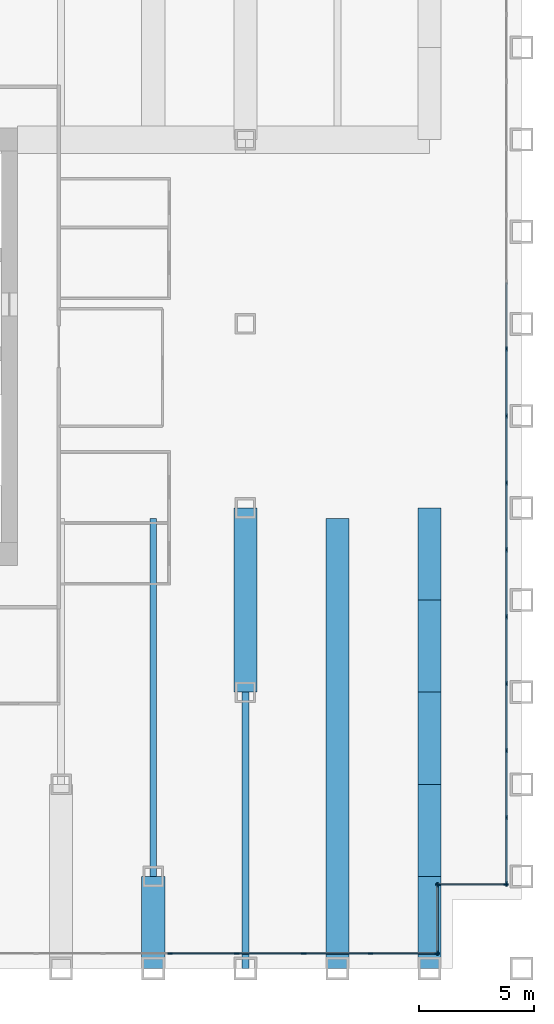
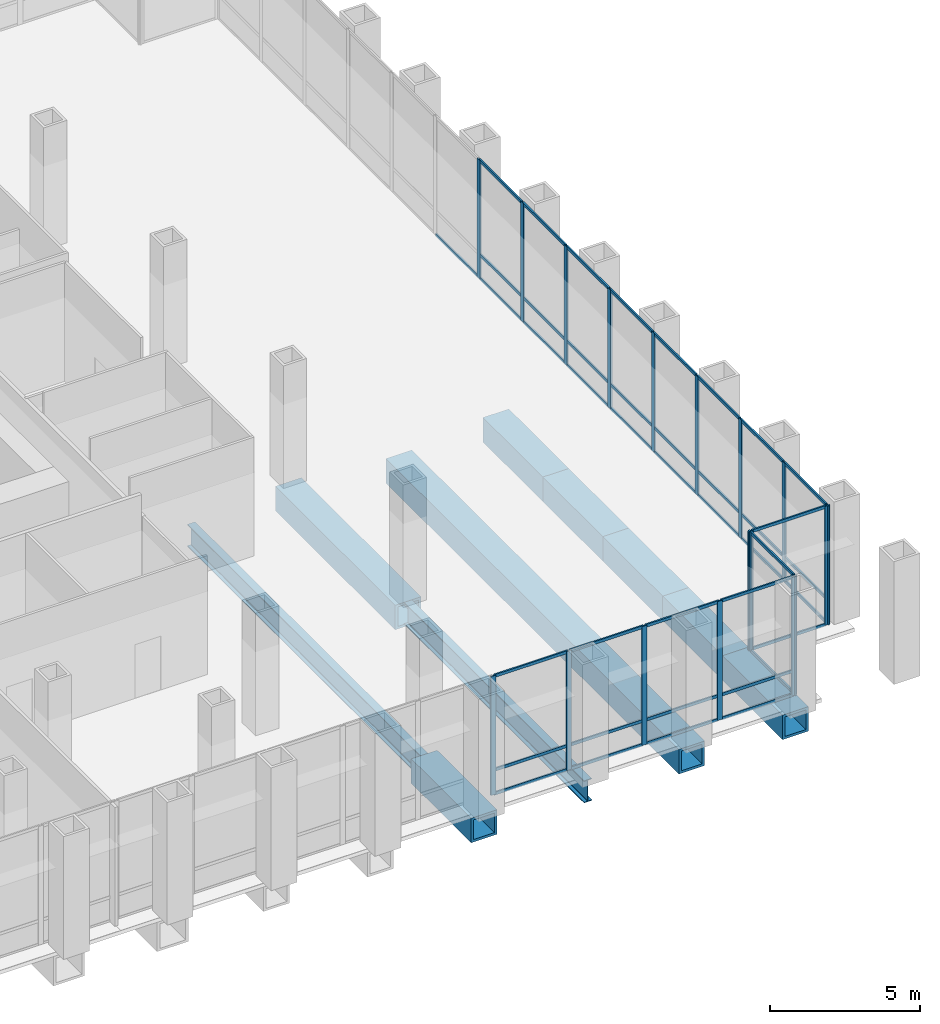
# One storey, part 5 of 16: 59 members, 10 beams, 4 elements without a shape of their own.
"""IFC4 building model written with IfcOpenShell, lengths in metres."""

from ifc_helpers import new_model, si_unit, direction, frame, origin, origin_2d, place, context, subcontext, project, spatial, rectangle, hollow_rectangle, i_section, extrude, material, material_profile, profile_set, type_object, element, aggregate, save


model = new_model("IFC4")

# Units and contexts
model_context = context("Model", 3, precision=1e-05, world=origin(), true_north=direction((0.0, 1.0)))
body_context = subcontext(model_context, "Body", "Model", "MODEL_VIEW")
ifc_project = project(units=[si_unit("LENGTHUNIT", "METRE"), si_unit("AREAUNIT", "SQUARE_METRE"), si_unit("VOLUMEUNIT", "CUBIC_METRE"), si_unit("PLANEANGLEUNIT", "RADIAN"), si_unit("MASSUNIT", "GRAM", prefix="KILO")], contexts=[model_context])

# Site, building, storey
site_placement = place(None, origin())
site = spatial("IfcSite", under=ifc_project, at=site_placement, CompositionType="ELEMENT")
building_placement = place(site_placement, origin())
building = spatial("IfcBuilding", under=site, at=building_placement, Name="Rimbunsela Tower", CompositionType="ELEMENT")
storey_placement = place(building_placement, frame((0.0, 0.0, 76.39990234375)))
storey = spatial("IfcBuildingStorey", under=building, at=storey_placement, Name="L18", CompositionType="ELEMENT", Elevation=76.39990234375)

# Beams
ifc_material_1 = material(Name="Steel BJ 55 (fy 410 MPa)", Category="steel")
ifc_material_profile_1 = material_profile(ifc_material_1, hollow_rectangle(XDim=1.0, YDim=1.0, WallThickness=0.10009765625, at=origin_2d()), Name="BOX 1000x1000x100")
ifc_profile_set_1 = profile_set([ifc_material_profile_1], Name="Steel BJ 55 (fy 410 MPa)")
beam_type_1 = type_object("IfcBeamType", Name="Beam BOX 1000x1000x100", PredefinedType="BEAM", material=ifc_profile_set_1)
beam_1_placement = place(storey_placement, frame((42.0, 0.0, -0.64990234375), z_axis=(0.0, 1.0, 0.0), x_axis=(-1.0, 0.0, 0.0)))
element("IfcBeam", 1, at=beam_1_placement, inside=storey, type_object=beam_type_1, Name="Beam B3 L18", PredefinedType="BEAM", context=body_context, shape_type="SweptSolid", body=[
    extrude(hollow_rectangle(XDim=1.0, YDim=1.0, WallThickness=0.10009765625, at=origin_2d()), origin(), (0.0, 0.0, 1.0), 4.0),
])
beam_2_placement = place(storey_placement, frame((46.0, 12.0, -0.64990234375), z_axis=(0.0, 1.0, 0.0), x_axis=(-1.0, 0.0, 0.0)))
element("IfcBeam", 2, at=beam_2_placement, inside=storey, type_object=beam_type_1, Name="Beam B3 L18", PredefinedType="BEAM", context=body_context, shape_type="SweptSolid", body=[
    extrude(hollow_rectangle(XDim=1.0, YDim=1.0, WallThickness=0.10009765625, at=origin_2d()), origin(), (0.0, 0.0, 1.0), 8.0),
])
beam_3_placement = place(storey_placement, frame((50.0, 0.0, -0.64990234375), z_axis=(0.0, 1.0, 0.0), x_axis=(-1.0, 0.0, 0.0)))
element("IfcBeam", 3, at=beam_3_placement, inside=storey, type_object=beam_type_1, Name="Beam B3 L18", PredefinedType="BEAM", context=body_context, shape_type="SweptSolid", body=[
    extrude(hollow_rectangle(XDim=1.0, YDim=1.0, WallThickness=0.10009765625, at=origin_2d()), origin(), (0.0, 0.0, 1.0), 19.550048828125),
])
for number, where, z_axis, x_axis, name in (
    (4, (54.0, 0.0, -0.64990234375), (0.0, 1.0, 0.0), (-1.0, 0.0, 0.0), "Beam B3 L18"),
    (5, (54.0, 4.0, -0.64990234375), (0.0, 1.0, 0.0), (-1.0, 0.0, 0.0), "Beam B3 L18"),
    (6, (54.0, 8.0, -0.64990234375), (0.0, 1.0, 0.0), (-1.0, 0.0, 0.0), "Beam B3 L18"),
    (7, (54.0, 12.0, -0.64990234375), (0.0, 1.0, 0.0), (-1.0, 0.0, 0.0), "Beam B3 L18"),
    (8, (54.0, 16.0, -0.64990234375), (0.0, 1.0, 0.0), (-1.0, 0.0, 0.0), "Beam B3 L18"),
):
    element("IfcBeam", number, at=place(storey_placement, frame(where, z_axis=z_axis, x_axis=x_axis)), inside=storey, type_object=beam_type_1, Name=name, PredefinedType="BEAM", context=body_context, shape_type="SweptSolid", body=[
        extrude(hollow_rectangle(XDim=1.0, YDim=1.0, WallThickness=0.10009765625, at=origin_2d()), origin(), (0.0, 0.0, 1.0), 4.0),
    ])
ifc_material_2 = material(Name="Steel BJ 55 (fy 410 MPa)", Category="steel")
ifc_material_profile_2 = material_profile(ifc_material_2, i_section(OverallWidth=0.300048828125, OverallDepth=0.89990234375, WebThickness=0.01611328125, FlangeThickness=0.028076171875, FilletRadius=0.028076171875, at=origin_2d()), Name="H 900x300x16x28")
ifc_profile_set_2 = profile_set([ifc_material_profile_2], Name="Steel BJ 55 (fy 410 MPa)")
beam_type_2 = type_object("IfcBeamType", Name="Beam H 900x300x16x28", PredefinedType="BEAM", material=ifc_profile_set_2)
beam_4_placement = place(storey_placement, frame((42.0, 4.0, -0.599853515625), z_axis=(0.0, 1.0, 0.0), x_axis=(-1.0, 0.0, 0.0)))
element("IfcBeam", 9, at=beam_4_placement, inside=storey, type_object=beam_type_2, Name="Beam B2 L18", PredefinedType="BEAM", context=body_context, shape_type="SweptSolid", body=[
    extrude(i_section(OverallWidth=0.300048828125, OverallDepth=0.89990234375, WebThickness=0.01611328125, FlangeThickness=0.028076171875, FilletRadius=0.028076171875, at=origin_2d()), origin(), (0.0, 0.0, 1.0), 15.550048828125),
])
beam_5_placement = place(storey_placement, frame((46.0, 0.0, -0.599853515625), z_axis=(0.0, 1.0, 0.0), x_axis=(-1.0, 0.0, 0.0)))
element("IfcBeam", 10, at=beam_5_placement, inside=storey, type_object=beam_type_2, Name="Beam B2 L18", PredefinedType="BEAM", context=body_context, shape_type="SweptSolid", body=[
    extrude(i_section(OverallWidth=0.300048828125, OverallDepth=0.89990234375, WebThickness=0.01611328125, FlangeThickness=0.028076171875, FilletRadius=0.028076171875, at=origin_2d()), origin(), (0.0, 0.0, 1.0), 12.0),
])

# Curtain wall, members
ifc_material_3 = material(Name="Aluminium curtain wall", Category="aluminium")
curtain_wall_type_1 = type_object("IfcCurtainWallType", Name="Corner glazing", PredefinedType="USERDEFINED", material=ifc_material_3)
curtain_wall_1_placement = place(storey_placement, origin())
curtain_wall_1 = element("IfcCurtainWall", 11, at=curtain_wall_1_placement, inside=storey, type_object=curtain_wall_type_1, Name="Corner glazing L18", ObjectType="CORNER GLAZING", PredefinedType="USERDEFINED")
ifc_material_4 = material(Name="Aluminium mullion", Category="aluminium")
ifc_material_profile_3 = material_profile(ifc_material_4, rectangle(XDim=0.06005859375, YDim=0.199951171875, at=origin_2d()), Name="Mullion 60x200")
ifc_profile_set_3 = profile_set([ifc_material_profile_3], Name="Aluminium mullion")
member_type_1 = type_object("IfcMemberType", Name="Curtain wall mullion 60x200", PredefinedType="MULLION", material=ifc_profile_set_3)
member_1_placement = place(storey_placement, frame((54.35009765625, 0.679931640625, 0.0), z_axis=(0.0, 0.0, 1.0), x_axis=(-1.0, 0.0, 0.0)))
member_1 = element("IfcMember", 12, at=member_1_placement, type_object=member_type_1, Name="CW5 mullion 1", PredefinedType="MULLION", context=body_context, shape_type="SweptSolid", body=[
    extrude(rectangle(XDim=0.06005859375, YDim=0.199951171875, at=origin_2d()), origin(), (0.0, 0.0, 1.0), 4.85009765625),
])
member_2_placement = place(storey_placement, frame((54.35009765625, 3.6201171875, 0.0), z_axis=(0.0, 0.0, 1.0), x_axis=(-1.0, 0.0, 0.0)))
member_2 = element("IfcMember", 13, at=member_2_placement, type_object=member_type_1, Name="CW5 mullion 2", PredefinedType="MULLION", context=body_context, shape_type="SweptSolid", body=[
    extrude(rectangle(XDim=0.06005859375, YDim=0.199951171875, at=origin_2d()), origin(), (0.0, 0.0, 1.0), 4.85009765625),
])

curtain_wall_2_placement = place(storey_placement, origin())
curtain_wall_2 = element("IfcCurtainWall", 14, at=curtain_wall_2_placement, inside=storey, type_object=curtain_wall_type_1, Name="Corner glazing L18", ObjectType="CORNER GLAZING", PredefinedType="USERDEFINED")
member_3_placement = place(storey_placement, frame((54.3798828125, 3.64990234375, 0.0), z_axis=(0.0, 0.0, 1.0), x_axis=(0.0, 1.0, 0.0)))
member_3 = element("IfcMember", 15, at=member_3_placement, type_object=member_type_1, Name="CW5 mullion 1", PredefinedType="MULLION", context=body_context, shape_type="SweptSolid", body=[
    extrude(rectangle(XDim=0.06005859375, YDim=0.199951171875, at=origin_2d()), origin(), (0.0, 0.0, 1.0), 4.85009765625),
])
member_4_placement = place(storey_placement, frame((57.320068359375, 3.64990234375, 0.0), z_axis=(0.0, 0.0, 1.0), x_axis=(0.0, 1.0, 0.0)))
member_4 = element("IfcMember", 16, at=member_4_placement, type_object=member_type_1, Name="CW5 mullion 2", PredefinedType="MULLION", context=body_context, shape_type="SweptSolid", body=[
    extrude(rectangle(XDim=0.06005859375, YDim=0.199951171875, at=origin_2d()), origin(), (0.0, 0.0, 1.0), 4.85009765625),
])

ifc_material_5 = material(Name="Aluminium curtain wall", Category="aluminium")
curtain_wall_type_2 = type_object("IfcCurtainWallType", Name="Sky lobby glazing", PredefinedType="USERDEFINED", material=ifc_material_5)
curtain_wall_3_placement = place(storey_placement, origin())
curtain_wall_3 = element("IfcCurtainWall", 17, at=curtain_wall_3_placement, inside=storey, type_object=curtain_wall_type_2, Name="Sky lobby glazing L18", ObjectType="SKY LOBBY GLAZING", PredefinedType="USERDEFINED")
member_5_placement = place(storey_placement, frame((57.35009765625, 3.679931640625, 0.0), z_axis=(0.0, 0.0, 1.0), x_axis=(-1.0, 0.0, 0.0)))
member_5 = element("IfcMember", 18, at=member_5_placement, type_object=member_type_1, Name="CW4 mullion 1", PredefinedType="MULLION", context=body_context, shape_type="SweptSolid", body=[
    extrude(rectangle(XDim=0.06005859375, YDim=0.199951171875, at=origin_2d()), origin(), (0.0, 0.0, 1.0), 4.85009765625),
])
member_6_placement = place(storey_placement, frame((57.35009765625, 6.55712890625, 0.0), z_axis=(0.0, 0.0, 1.0), x_axis=(-1.0, 0.0, 0.0)))
member_6 = element("IfcMember", 19, at=member_6_placement, type_object=member_type_1, Name="CW4 mullion 2", PredefinedType="MULLION", context=body_context, shape_type="SweptSolid", body=[
    extrude(rectangle(XDim=0.06005859375, YDim=0.199951171875, at=origin_2d()), origin(), (0.0, 0.0, 1.0), 4.85009765625),
])
member_7_placement = place(storey_placement, frame((57.35009765625, 9.46435546875, 0.0), z_axis=(0.0, 0.0, 1.0), x_axis=(-1.0, 0.0, 0.0)))
member_7 = element("IfcMember", 20, at=member_7_placement, type_object=member_type_1, Name="CW4 mullion 3", PredefinedType="MULLION", context=body_context, shape_type="SweptSolid", body=[
    extrude(rectangle(XDim=0.06005859375, YDim=0.199951171875, at=origin_2d()), origin(), (0.0, 0.0, 1.0), 4.85009765625),
])
member_8_placement = place(storey_placement, frame((57.35009765625, 12.371337890625, 0.0), z_axis=(0.0, 0.0, 1.0), x_axis=(-1.0, 0.0, 0.0)))
member_8 = element("IfcMember", 21, at=member_8_placement, type_object=member_type_1, Name="CW4 mullion 4", PredefinedType="MULLION", context=body_context, shape_type="SweptSolid", body=[
    extrude(rectangle(XDim=0.06005859375, YDim=0.199951171875, at=origin_2d()), origin(), (0.0, 0.0, 1.0), 4.85009765625),
])
member_9_placement = place(storey_placement, frame((57.35009765625, 15.278564453125, 0.0), z_axis=(0.0, 0.0, 1.0), x_axis=(-1.0, 0.0, 0.0)))
member_9 = element("IfcMember", 22, at=member_9_placement, type_object=member_type_1, Name="CW4 mullion 5", PredefinedType="MULLION", context=body_context, shape_type="SweptSolid", body=[
    extrude(rectangle(XDim=0.06005859375, YDim=0.199951171875, at=origin_2d()), origin(), (0.0, 0.0, 1.0), 4.85009765625),
])
member_10_placement = place(storey_placement, frame((57.35009765625, 18.185791015625, 0.0), z_axis=(0.0, 0.0, 1.0), x_axis=(-1.0, 0.0, 0.0)))
member_10 = element("IfcMember", 23, at=member_10_placement, type_object=member_type_1, Name="CW4 mullion 6", PredefinedType="MULLION", context=body_context, shape_type="SweptSolid", body=[
    extrude(rectangle(XDim=0.06005859375, YDim=0.199951171875, at=origin_2d()), origin(), (0.0, 0.0, 1.0), 4.85009765625),
])
member_11_placement = place(storey_placement, frame((57.35009765625, 21.0927734375, 0.0), z_axis=(0.0, 0.0, 1.0), x_axis=(-1.0, 0.0, 0.0)))
member_11 = element("IfcMember", 24, at=member_11_placement, type_object=member_type_1, Name="CW4 mullion 7", PredefinedType="MULLION", context=body_context, shape_type="SweptSolid", body=[
    extrude(rectangle(XDim=0.06005859375, YDim=0.199951171875, at=origin_2d()), origin(), (0.0, 0.0, 1.0), 4.85009765625),
])
member_12_placement = place(storey_placement, frame((57.35009765625, 24.0, 0.0), z_axis=(0.0, 0.0, 1.0), x_axis=(-1.0, 0.0, 0.0)))
member_12 = element("IfcMember", 25, at=member_12_placement, type_object=member_type_1, Name="CW4 mullion 8", PredefinedType="MULLION", context=body_context, shape_type="SweptSolid", body=[
    extrude(rectangle(XDim=0.06005859375, YDim=0.199951171875, at=origin_2d()), origin(), (0.0, 0.0, 1.0), 4.85009765625),
])
member_13_placement = place(storey_placement, frame((57.35009765625, 26.9072265625, 0.0), z_axis=(0.0, 0.0, 1.0), x_axis=(-1.0, 0.0, 0.0)))
member_13 = element("IfcMember", 26, at=member_13_placement, type_object=member_type_1, Name="CW4 mullion 9", PredefinedType="MULLION", context=body_context, shape_type="SweptSolid", body=[
    extrude(rectangle(XDim=0.06005859375, YDim=0.199951171875, at=origin_2d()), origin(), (0.0, 0.0, 1.0), 4.85009765625),
])

curtain_wall_4_placement = place(storey_placement, origin())
curtain_wall_4 = element("IfcCurtainWall", 27, at=curtain_wall_4_placement, inside=storey, type_object=curtain_wall_type_2, Name="Sky lobby glazing L18", ObjectType="SKY LOBBY GLAZING", PredefinedType="USERDEFINED")
member_14_placement = place(storey_placement, frame((42.721435546875, 0.64990234375, 0.0), z_axis=(0.0, 0.0, 1.0), x_axis=(0.0, 1.0, 0.0)))
member_14 = element("IfcMember", 28, at=member_14_placement, type_object=member_type_1, Name="CW4 mullion 11", PredefinedType="MULLION", context=body_context, shape_type="SweptSolid", body=[
    extrude(rectangle(XDim=0.06005859375, YDim=0.199951171875, at=origin_2d()), origin(), (0.0, 0.0, 1.0), 4.85009765625),
])
member_15_placement = place(storey_placement, frame((45.628662109375, 0.64990234375, 0.0), z_axis=(0.0, 0.0, 1.0), x_axis=(0.0, 1.0, 0.0)))
member_15 = element("IfcMember", 29, at=member_15_placement, type_object=member_type_1, Name="CW4 mullion 12", PredefinedType="MULLION", context=body_context, shape_type="SweptSolid", body=[
    extrude(rectangle(XDim=0.06005859375, YDim=0.199951171875, at=origin_2d()), origin(), (0.0, 0.0, 1.0), 4.85009765625),
])
member_16_placement = place(storey_placement, frame((48.53564453125, 0.64990234375, 0.0), z_axis=(0.0, 0.0, 1.0), x_axis=(0.0, 1.0, 0.0)))
member_16 = element("IfcMember", 30, at=member_16_placement, type_object=member_type_1, Name="CW4 mullion 13", PredefinedType="MULLION", context=body_context, shape_type="SweptSolid", body=[
    extrude(rectangle(XDim=0.06005859375, YDim=0.199951171875, at=origin_2d()), origin(), (0.0, 0.0, 1.0), 4.85009765625),
])
member_17_placement = place(storey_placement, frame((51.44287109375, 0.64990234375, 0.0), z_axis=(0.0, 0.0, 1.0), x_axis=(0.0, 1.0, 0.0)))
member_17 = element("IfcMember", 31, at=member_17_placement, type_object=member_type_1, Name="CW4 mullion 14", PredefinedType="MULLION", context=body_context, shape_type="SweptSolid", body=[
    extrude(rectangle(XDim=0.06005859375, YDim=0.199951171875, at=origin_2d()), origin(), (0.0, 0.0, 1.0), 4.85009765625),
])
member_18_placement = place(storey_placement, frame((54.320068359375, 0.64990234375, 0.0), z_axis=(0.0, 0.0, 1.0), x_axis=(0.0, 1.0, 0.0)))
member_18 = element("IfcMember", 32, at=member_18_placement, type_object=member_type_1, Name="CW4 mullion 15", PredefinedType="MULLION", context=body_context, shape_type="SweptSolid", body=[
    extrude(rectangle(XDim=0.06005859375, YDim=0.199951171875, at=origin_2d()), origin(), (0.0, 0.0, 1.0), 4.85009765625),
])

# Member
ifc_material_6 = material(Name="Aluminium transom", Category="aluminium")
ifc_material_profile_4 = material_profile(ifc_material_6, rectangle(XDim=0.06005859375, YDim=0.1201171875, at=origin_2d()), Name="Transom 60x120")
ifc_profile_set_4 = profile_set([ifc_material_profile_4], Name="Aluminium transom")
member_type_2 = type_object("IfcMemberType", Name="Curtain wall transom 60x120", PredefinedType="USERDEFINED", material=ifc_profile_set_4)
member_19_placement = place(storey_placement, frame((54.35009765625, 0.7099609375, 0.030029296875), z_axis=(0.0, 1.0, 0.0), x_axis=(-1.0, 0.0, 0.0)))
member_19 = element("IfcMember", 33, at=member_19_placement, type_object=member_type_2, Name="CW5 transom 1.1", ObjectType="TRANSOM", PredefinedType="USERDEFINED", context=body_context, shape_type="SweptSolid", body=[
    extrude(rectangle(XDim=0.06005859375, YDim=0.1201171875, at=origin_2d()), origin(), (0.0, 0.0, 1.0), 2.880126953125),
])

member_20_placement = place(storey_placement, frame((54.35009765625, 0.7099609375, 4.820068359375), z_axis=(0.0, 1.0, 0.0), x_axis=(-1.0, 0.0, 0.0)))
member_20 = element("IfcMember", 34, at=member_20_placement, type_object=member_type_2, Name="CW5 transom 1.2", ObjectType="TRANSOM", PredefinedType="USERDEFINED", context=body_context, shape_type="SweptSolid", body=[
    extrude(rectangle(XDim=0.06005859375, YDim=0.1201171875, at=origin_2d()), origin(), (0.0, 0.0, 1.0), 2.880126953125),
])

aggregate(curtain_wall_1, [member_1, member_2, member_19, member_20])

member_21_placement = place(storey_placement, frame((54.409912109375, 3.64990234375, 0.030029296875), z_axis=(1.0, 0.0, 0.0), x_axis=(0.0, 1.0, 0.0)))
member_21 = element("IfcMember", 35, at=member_21_placement, type_object=member_type_2, Name="CW5 transom 1.1", ObjectType="TRANSOM", PredefinedType="USERDEFINED", context=body_context, shape_type="SweptSolid", body=[
    extrude(rectangle(XDim=0.06005859375, YDim=0.1201171875, at=origin_2d()), origin(), (0.0, 0.0, 1.0), 2.880126953125),
])

member_22_placement = place(storey_placement, frame((54.409912109375, 3.64990234375, 4.820068359375), z_axis=(1.0, 0.0, 0.0), x_axis=(0.0, 1.0, 0.0)))
member_22 = element("IfcMember", 36, at=member_22_placement, type_object=member_type_2, Name="CW5 transom 1.2", ObjectType="TRANSOM", PredefinedType="USERDEFINED", context=body_context, shape_type="SweptSolid", body=[
    extrude(rectangle(XDim=0.06005859375, YDim=0.1201171875, at=origin_2d()), origin(), (0.0, 0.0, 1.0), 2.880126953125),
])

aggregate(curtain_wall_2, [member_3, member_4, member_21, member_22])

member_23_placement = place(storey_placement, frame((57.35009765625, 3.7099609375, 0.030029296875), z_axis=(0.0, 1.0, 0.0), x_axis=(-1.0, 0.0, 0.0)))
member_23 = element("IfcMember", 37, at=member_23_placement, type_object=member_type_2, Name="CW4 transom 1.1", ObjectType="TRANSOM", PredefinedType="USERDEFINED", context=body_context, shape_type="SweptSolid", body=[
    extrude(rectangle(XDim=0.06005859375, YDim=0.1201171875, at=origin_2d()), origin(), (0.0, 0.0, 1.0), 2.817138671875),
])

member_24_placement = place(storey_placement, frame((57.35009765625, 3.7099609375, 1.0), z_axis=(0.0, 1.0, 0.0), x_axis=(-1.0, 0.0, 0.0)))
member_24 = element("IfcMember", 38, at=member_24_placement, type_object=member_type_2, Name="CW4 transom 1.2", ObjectType="TRANSOM", PredefinedType="USERDEFINED", context=body_context, shape_type="SweptSolid", body=[
    extrude(rectangle(XDim=0.06005859375, YDim=0.1201171875, at=origin_2d()), origin(), (0.0, 0.0, 1.0), 2.817138671875),
])

member_25_placement = place(storey_placement, frame((57.35009765625, 3.7099609375, 4.820068359375), z_axis=(0.0, 1.0, 0.0), x_axis=(-1.0, 0.0, 0.0)))
member_25 = element("IfcMember", 39, at=member_25_placement, type_object=member_type_2, Name="CW4 transom 1.3", ObjectType="TRANSOM", PredefinedType="USERDEFINED", context=body_context, shape_type="SweptSolid", body=[
    extrude(rectangle(XDim=0.06005859375, YDim=0.1201171875, at=origin_2d()), origin(), (0.0, 0.0, 1.0), 2.817138671875),
])

member_26_placement = place(storey_placement, frame((57.35009765625, 6.587158203125, 0.030029296875), z_axis=(0.0, 1.0, 0.0), x_axis=(-1.0, 0.0, 0.0)))
member_26 = element("IfcMember", 40, at=member_26_placement, type_object=member_type_2, Name="CW4 transom 2.1", ObjectType="TRANSOM", PredefinedType="USERDEFINED", context=body_context, shape_type="SweptSolid", body=[
    extrude(rectangle(XDim=0.06005859375, YDim=0.1201171875, at=origin_2d()), origin(), (0.0, 0.0, 1.0), 2.84716796875),
])

member_27_placement = place(storey_placement, frame((57.35009765625, 6.587158203125, 1.0), z_axis=(0.0, 1.0, 0.0), x_axis=(-1.0, 0.0, 0.0)))
member_27 = element("IfcMember", 41, at=member_27_placement, type_object=member_type_2, Name="CW4 transom 2.2", ObjectType="TRANSOM", PredefinedType="USERDEFINED", context=body_context, shape_type="SweptSolid", body=[
    extrude(rectangle(XDim=0.06005859375, YDim=0.1201171875, at=origin_2d()), origin(), (0.0, 0.0, 1.0), 2.84716796875),
])

member_28_placement = place(storey_placement, frame((57.35009765625, 6.587158203125, 4.820068359375), z_axis=(0.0, 1.0, 0.0), x_axis=(-1.0, 0.0, 0.0)))
member_28 = element("IfcMember", 42, at=member_28_placement, type_object=member_type_2, Name="CW4 transom 2.3", ObjectType="TRANSOM", PredefinedType="USERDEFINED", context=body_context, shape_type="SweptSolid", body=[
    extrude(rectangle(XDim=0.06005859375, YDim=0.1201171875, at=origin_2d()), origin(), (0.0, 0.0, 1.0), 2.84716796875),
])

member_29_placement = place(storey_placement, frame((57.35009765625, 9.494384765625, 0.030029296875), z_axis=(0.0, 1.0, 0.0), x_axis=(-1.0, 0.0, 0.0)))
member_29 = element("IfcMember", 43, at=member_29_placement, type_object=member_type_2, Name="CW4 transom 3.1", ObjectType="TRANSOM", PredefinedType="USERDEFINED", context=body_context, shape_type="SweptSolid", body=[
    extrude(rectangle(XDim=0.06005859375, YDim=0.1201171875, at=origin_2d()), origin(), (0.0, 0.0, 1.0), 2.846923828125),
])

member_30_placement = place(storey_placement, frame((57.35009765625, 9.494384765625, 1.0), z_axis=(0.0, 1.0, 0.0), x_axis=(-1.0, 0.0, 0.0)))
member_30 = element("IfcMember", 44, at=member_30_placement, type_object=member_type_2, Name="CW4 transom 3.2", ObjectType="TRANSOM", PredefinedType="USERDEFINED", context=body_context, shape_type="SweptSolid", body=[
    extrude(rectangle(XDim=0.06005859375, YDim=0.1201171875, at=origin_2d()), origin(), (0.0, 0.0, 1.0), 2.846923828125),
])

member_31_placement = place(storey_placement, frame((57.35009765625, 9.494384765625, 4.820068359375), z_axis=(0.0, 1.0, 0.0), x_axis=(-1.0, 0.0, 0.0)))
member_31 = element("IfcMember", 45, at=member_31_placement, type_object=member_type_2, Name="CW4 transom 3.3", ObjectType="TRANSOM", PredefinedType="USERDEFINED", context=body_context, shape_type="SweptSolid", body=[
    extrude(rectangle(XDim=0.06005859375, YDim=0.1201171875, at=origin_2d()), origin(), (0.0, 0.0, 1.0), 2.846923828125),
])

member_32_placement = place(storey_placement, frame((57.35009765625, 12.4013671875, 0.030029296875), z_axis=(0.0, 1.0, 0.0), x_axis=(-1.0, 0.0, 0.0)))
member_32 = element("IfcMember", 46, at=member_32_placement, type_object=member_type_2, Name="CW4 transom 4.1", ObjectType="TRANSOM", PredefinedType="USERDEFINED", context=body_context, shape_type="SweptSolid", body=[
    extrude(rectangle(XDim=0.06005859375, YDim=0.1201171875, at=origin_2d()), origin(), (0.0, 0.0, 1.0), 2.84716796875),
])

member_33_placement = place(storey_placement, frame((57.35009765625, 12.4013671875, 1.0), z_axis=(0.0, 1.0, 0.0), x_axis=(-1.0, 0.0, 0.0)))
member_33 = element("IfcMember", 47, at=member_33_placement, type_object=member_type_2, Name="CW4 transom 4.2", ObjectType="TRANSOM", PredefinedType="USERDEFINED", context=body_context, shape_type="SweptSolid", body=[
    extrude(rectangle(XDim=0.06005859375, YDim=0.1201171875, at=origin_2d()), origin(), (0.0, 0.0, 1.0), 2.84716796875),
])

member_34_placement = place(storey_placement, frame((57.35009765625, 12.4013671875, 4.820068359375), z_axis=(0.0, 1.0, 0.0), x_axis=(-1.0, 0.0, 0.0)))
member_34 = element("IfcMember", 48, at=member_34_placement, type_object=member_type_2, Name="CW4 transom 4.3", ObjectType="TRANSOM", PredefinedType="USERDEFINED", context=body_context, shape_type="SweptSolid", body=[
    extrude(rectangle(XDim=0.06005859375, YDim=0.1201171875, at=origin_2d()), origin(), (0.0, 0.0, 1.0), 2.84716796875),
])

member_35_placement = place(storey_placement, frame((57.35009765625, 15.30859375, 0.030029296875), z_axis=(0.0, 1.0, 0.0), x_axis=(-1.0, 0.0, 0.0)))
member_35 = element("IfcMember", 49, at=member_35_placement, type_object=member_type_2, Name="CW4 transom 5.1", ObjectType="TRANSOM", PredefinedType="USERDEFINED", context=body_context, shape_type="SweptSolid", body=[
    extrude(rectangle(XDim=0.06005859375, YDim=0.1201171875, at=origin_2d()), origin(), (0.0, 0.0, 1.0), 2.84716796875),
])

member_36_placement = place(storey_placement, frame((57.35009765625, 15.30859375, 1.0), z_axis=(0.0, 1.0, 0.0), x_axis=(-1.0, 0.0, 0.0)))
member_36 = element("IfcMember", 50, at=member_36_placement, type_object=member_type_2, Name="CW4 transom 5.2", ObjectType="TRANSOM", PredefinedType="USERDEFINED", context=body_context, shape_type="SweptSolid", body=[
    extrude(rectangle(XDim=0.06005859375, YDim=0.1201171875, at=origin_2d()), origin(), (0.0, 0.0, 1.0), 2.84716796875),
])

member_37_placement = place(storey_placement, frame((57.35009765625, 15.30859375, 4.820068359375), z_axis=(0.0, 1.0, 0.0), x_axis=(-1.0, 0.0, 0.0)))
member_37 = element("IfcMember", 51, at=member_37_placement, type_object=member_type_2, Name="CW4 transom 5.3", ObjectType="TRANSOM", PredefinedType="USERDEFINED", context=body_context, shape_type="SweptSolid", body=[
    extrude(rectangle(XDim=0.06005859375, YDim=0.1201171875, at=origin_2d()), origin(), (0.0, 0.0, 1.0), 2.84716796875),
])

member_38_placement = place(storey_placement, frame((57.35009765625, 18.2158203125, 0.030029296875), z_axis=(0.0, 1.0, 0.0), x_axis=(-1.0, 0.0, 0.0)))
member_38 = element("IfcMember", 52, at=member_38_placement, type_object=member_type_2, Name="CW4 transom 6.1", ObjectType="TRANSOM", PredefinedType="USERDEFINED", context=body_context, shape_type="SweptSolid", body=[
    extrude(rectangle(XDim=0.06005859375, YDim=0.1201171875, at=origin_2d()), origin(), (0.0, 0.0, 1.0), 2.846923828125),
])

member_39_placement = place(storey_placement, frame((57.35009765625, 18.2158203125, 1.0), z_axis=(0.0, 1.0, 0.0), x_axis=(-1.0, 0.0, 0.0)))
member_39 = element("IfcMember", 53, at=member_39_placement, type_object=member_type_2, Name="CW4 transom 6.2", ObjectType="TRANSOM", PredefinedType="USERDEFINED", context=body_context, shape_type="SweptSolid", body=[
    extrude(rectangle(XDim=0.06005859375, YDim=0.1201171875, at=origin_2d()), origin(), (0.0, 0.0, 1.0), 2.846923828125),
])

member_40_placement = place(storey_placement, frame((57.35009765625, 18.2158203125, 4.820068359375), z_axis=(0.0, 1.0, 0.0), x_axis=(-1.0, 0.0, 0.0)))
member_40 = element("IfcMember", 54, at=member_40_placement, type_object=member_type_2, Name="CW4 transom 6.3", ObjectType="TRANSOM", PredefinedType="USERDEFINED", context=body_context, shape_type="SweptSolid", body=[
    extrude(rectangle(XDim=0.06005859375, YDim=0.1201171875, at=origin_2d()), origin(), (0.0, 0.0, 1.0), 2.846923828125),
])

member_41_placement = place(storey_placement, frame((57.35009765625, 21.122802734375, 0.030029296875), z_axis=(0.0, 1.0, 0.0), x_axis=(-1.0, 0.0, 0.0)))
member_41 = element("IfcMember", 55, at=member_41_placement, type_object=member_type_2, Name="CW4 transom 7.1", ObjectType="TRANSOM", PredefinedType="USERDEFINED", context=body_context, shape_type="SweptSolid", body=[
    extrude(rectangle(XDim=0.06005859375, YDim=0.1201171875, at=origin_2d()), origin(), (0.0, 0.0, 1.0), 2.84716796875),
])

member_42_placement = place(storey_placement, frame((57.35009765625, 21.122802734375, 1.0), z_axis=(0.0, 1.0, 0.0), x_axis=(-1.0, 0.0, 0.0)))
member_42 = element("IfcMember", 56, at=member_42_placement, type_object=member_type_2, Name="CW4 transom 7.2", ObjectType="TRANSOM", PredefinedType="USERDEFINED", context=body_context, shape_type="SweptSolid", body=[
    extrude(rectangle(XDim=0.06005859375, YDim=0.1201171875, at=origin_2d()), origin(), (0.0, 0.0, 1.0), 2.84716796875),
])

member_43_placement = place(storey_placement, frame((57.35009765625, 21.122802734375, 4.820068359375), z_axis=(0.0, 1.0, 0.0), x_axis=(-1.0, 0.0, 0.0)))
member_43 = element("IfcMember", 57, at=member_43_placement, type_object=member_type_2, Name="CW4 transom 7.3", ObjectType="TRANSOM", PredefinedType="USERDEFINED", context=body_context, shape_type="SweptSolid", body=[
    extrude(rectangle(XDim=0.06005859375, YDim=0.1201171875, at=origin_2d()), origin(), (0.0, 0.0, 1.0), 2.84716796875),
])

member_44_placement = place(storey_placement, frame((57.35009765625, 24.030029296875, 0.030029296875), z_axis=(0.0, 1.0, 0.0), x_axis=(-1.0, 0.0, 0.0)))
member_44 = element("IfcMember", 58, at=member_44_placement, type_object=member_type_2, Name="CW4 transom 8.1", ObjectType="TRANSOM", PredefinedType="USERDEFINED", context=body_context, shape_type="SweptSolid", body=[
    extrude(rectangle(XDim=0.06005859375, YDim=0.1201171875, at=origin_2d()), origin(), (0.0, 0.0, 1.0), 2.84716796875),
])

member_45_placement = place(storey_placement, frame((57.35009765625, 24.030029296875, 1.0), z_axis=(0.0, 1.0, 0.0), x_axis=(-1.0, 0.0, 0.0)))
member_45 = element("IfcMember", 59, at=member_45_placement, type_object=member_type_2, Name="CW4 transom 8.2", ObjectType="TRANSOM", PredefinedType="USERDEFINED", context=body_context, shape_type="SweptSolid", body=[
    extrude(rectangle(XDim=0.06005859375, YDim=0.1201171875, at=origin_2d()), origin(), (0.0, 0.0, 1.0), 2.84716796875),
])

member_46_placement = place(storey_placement, frame((57.35009765625, 24.030029296875, 4.820068359375), z_axis=(0.0, 1.0, 0.0), x_axis=(-1.0, 0.0, 0.0)))
member_46 = element("IfcMember", 60, at=member_46_placement, type_object=member_type_2, Name="CW4 transom 8.3", ObjectType="TRANSOM", PredefinedType="USERDEFINED", context=body_context, shape_type="SweptSolid", body=[
    extrude(rectangle(XDim=0.06005859375, YDim=0.1201171875, at=origin_2d()), origin(), (0.0, 0.0, 1.0), 2.84716796875),
])

member_47_placement = place(storey_placement, frame((57.35009765625, 26.937255859375, 0.030029296875), z_axis=(0.0, 1.0, 0.0), x_axis=(-1.0, 0.0, 0.0)))
member_47 = element("IfcMember", 61, at=member_47_placement, type_object=member_type_2, Name="CW4 transom 9.1", ObjectType="TRANSOM", PredefinedType="USERDEFINED", context=body_context, shape_type="SweptSolid", body=[
    extrude(rectangle(XDim=0.06005859375, YDim=0.1201171875, at=origin_2d()), origin(), (0.0, 0.0, 1.0), 2.846923828125),
])

aggregate(curtain_wall_3, [member_5, member_6, member_7, member_8, member_9, member_10, member_11, member_12, member_13, member_23, member_24, member_25, member_26, member_27, member_28, member_29, member_30, member_31, member_32, member_33, member_34, member_35, member_36, member_37, member_38, member_39, member_40, member_41, member_42, member_43, member_44, member_45, member_46, member_47])

member_48_placement = place(storey_placement, frame((42.75146484375, 0.64990234375, 0.030029296875), z_axis=(1.0, 0.0, 0.0), x_axis=(0.0, 1.0, 0.0)))
member_48 = element("IfcMember", 62, at=member_48_placement, type_object=member_type_2, Name="CW4 transom 11.1", ObjectType="TRANSOM", PredefinedType="USERDEFINED", context=body_context, shape_type="SweptSolid", body=[
    extrude(rectangle(XDim=0.06005859375, YDim=0.1201171875, at=origin_2d()), origin(), (0.0, 0.0, 1.0), 2.84716796875),
])

member_49_placement = place(storey_placement, frame((42.75146484375, 0.64990234375, 1.0), z_axis=(1.0, 0.0, 0.0), x_axis=(0.0, 1.0, 0.0)))
member_49 = element("IfcMember", 63, at=member_49_placement, type_object=member_type_2, Name="CW4 transom 11.2", ObjectType="TRANSOM", PredefinedType="USERDEFINED", context=body_context, shape_type="SweptSolid", body=[
    extrude(rectangle(XDim=0.06005859375, YDim=0.1201171875, at=origin_2d()), origin(), (0.0, 0.0, 1.0), 2.84716796875),
])

member_50_placement = place(storey_placement, frame((42.75146484375, 0.64990234375, 4.820068359375), z_axis=(1.0, 0.0, 0.0), x_axis=(0.0, 1.0, 0.0)))
member_50 = element("IfcMember", 64, at=member_50_placement, type_object=member_type_2, Name="CW4 transom 11.3", ObjectType="TRANSOM", PredefinedType="USERDEFINED", context=body_context, shape_type="SweptSolid", body=[
    extrude(rectangle(XDim=0.06005859375, YDim=0.1201171875, at=origin_2d()), origin(), (0.0, 0.0, 1.0), 2.84716796875),
])

member_51_placement = place(storey_placement, frame((45.65869140625, 0.64990234375, 0.030029296875), z_axis=(1.0, 0.0, 0.0), x_axis=(0.0, 1.0, 0.0)))
member_51 = element("IfcMember", 65, at=member_51_placement, type_object=member_type_2, Name="CW4 transom 12.1", ObjectType="TRANSOM", PredefinedType="USERDEFINED", context=body_context, shape_type="SweptSolid", body=[
    extrude(rectangle(XDim=0.06005859375, YDim=0.1201171875, at=origin_2d()), origin(), (0.0, 0.0, 1.0), 2.846923828125),
])

member_52_placement = place(storey_placement, frame((45.65869140625, 0.64990234375, 1.0), z_axis=(1.0, 0.0, 0.0), x_axis=(0.0, 1.0, 0.0)))
member_52 = element("IfcMember", 66, at=member_52_placement, type_object=member_type_2, Name="CW4 transom 12.2", ObjectType="TRANSOM", PredefinedType="USERDEFINED", context=body_context, shape_type="SweptSolid", body=[
    extrude(rectangle(XDim=0.06005859375, YDim=0.1201171875, at=origin_2d()), origin(), (0.0, 0.0, 1.0), 2.846923828125),
])

member_53_placement = place(storey_placement, frame((45.65869140625, 0.64990234375, 4.820068359375), z_axis=(1.0, 0.0, 0.0), x_axis=(0.0, 1.0, 0.0)))
member_53 = element("IfcMember", 67, at=member_53_placement, type_object=member_type_2, Name="CW4 transom 12.3", ObjectType="TRANSOM", PredefinedType="USERDEFINED", context=body_context, shape_type="SweptSolid", body=[
    extrude(rectangle(XDim=0.06005859375, YDim=0.1201171875, at=origin_2d()), origin(), (0.0, 0.0, 1.0), 2.846923828125),
])

member_54_placement = place(storey_placement, frame((48.565673828125, 0.64990234375, 0.030029296875), z_axis=(1.0, 0.0, 0.0), x_axis=(0.0, 1.0, 0.0)))
member_54 = element("IfcMember", 68, at=member_54_placement, type_object=member_type_2, Name="CW4 transom 13.1", ObjectType="TRANSOM", PredefinedType="USERDEFINED", context=body_context, shape_type="SweptSolid", body=[
    extrude(rectangle(XDim=0.06005859375, YDim=0.1201171875, at=origin_2d()), origin(), (0.0, 0.0, 1.0), 2.84716796875),
])

member_55_placement = place(storey_placement, frame((48.565673828125, 0.64990234375, 1.0), z_axis=(1.0, 0.0, 0.0), x_axis=(0.0, 1.0, 0.0)))
member_55 = element("IfcMember", 69, at=member_55_placement, type_object=member_type_2, Name="CW4 transom 13.2", ObjectType="TRANSOM", PredefinedType="USERDEFINED", context=body_context, shape_type="SweptSolid", body=[
    extrude(rectangle(XDim=0.06005859375, YDim=0.1201171875, at=origin_2d()), origin(), (0.0, 0.0, 1.0), 2.84716796875),
])

member_56_placement = place(storey_placement, frame((48.565673828125, 0.64990234375, 4.820068359375), z_axis=(1.0, 0.0, 0.0), x_axis=(0.0, 1.0, 0.0)))
member_56 = element("IfcMember", 70, at=member_56_placement, type_object=member_type_2, Name="CW4 transom 13.3", ObjectType="TRANSOM", PredefinedType="USERDEFINED", context=body_context, shape_type="SweptSolid", body=[
    extrude(rectangle(XDim=0.06005859375, YDim=0.1201171875, at=origin_2d()), origin(), (0.0, 0.0, 1.0), 2.84716796875),
])

member_57_placement = place(storey_placement, frame((51.472900390625, 0.64990234375, 0.030029296875), z_axis=(1.0, 0.0, 0.0), x_axis=(0.0, 1.0, 0.0)))
member_57 = element("IfcMember", 71, at=member_57_placement, type_object=member_type_2, Name="CW4 transom 14.1", ObjectType="TRANSOM", PredefinedType="USERDEFINED", context=body_context, shape_type="SweptSolid", body=[
    extrude(rectangle(XDim=0.06005859375, YDim=0.1201171875, at=origin_2d()), origin(), (0.0, 0.0, 1.0), 2.817138671875),
])

member_58_placement = place(storey_placement, frame((51.472900390625, 0.64990234375, 1.0), z_axis=(1.0, 0.0, 0.0), x_axis=(0.0, 1.0, 0.0)))
member_58 = element("IfcMember", 72, at=member_58_placement, type_object=member_type_2, Name="CW4 transom 14.2", ObjectType="TRANSOM", PredefinedType="USERDEFINED", context=body_context, shape_type="SweptSolid", body=[
    extrude(rectangle(XDim=0.06005859375, YDim=0.1201171875, at=origin_2d()), origin(), (0.0, 0.0, 1.0), 2.817138671875),
])

member_59_placement = place(storey_placement, frame((51.472900390625, 0.64990234375, 4.820068359375), z_axis=(1.0, 0.0, 0.0), x_axis=(0.0, 1.0, 0.0)))
member_59 = element("IfcMember", 73, at=member_59_placement, type_object=member_type_2, Name="CW4 transom 14.3", ObjectType="TRANSOM", PredefinedType="USERDEFINED", context=body_context, shape_type="SweptSolid", body=[
    extrude(rectangle(XDim=0.06005859375, YDim=0.1201171875, at=origin_2d()), origin(), (0.0, 0.0, 1.0), 2.817138671875),
])

aggregate(curtain_wall_4, [member_14, member_15, member_16, member_17, member_18, member_48, member_49, member_50, member_51, member_52, member_53, member_54, member_55, member_56, member_57, member_58, member_59])

save(model, "model.ifc")
